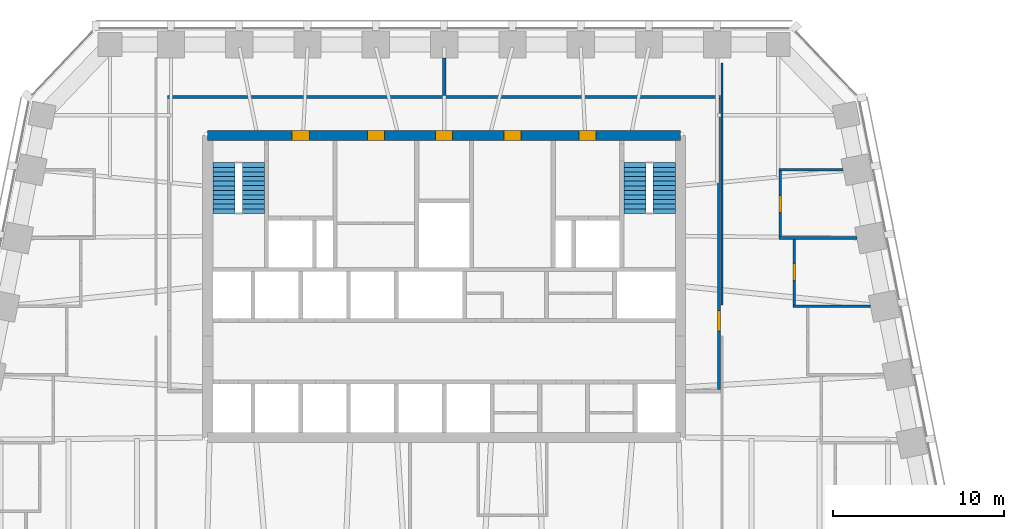
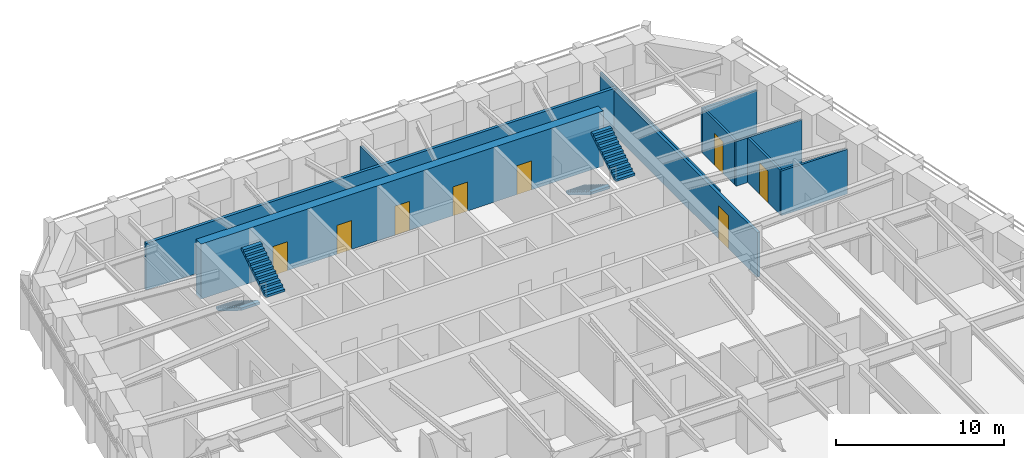
# One storey, part 8 of 10: 10 walls, 8 doors, 4 stair flights, 8 openings, 2 elements without a shape of their own.
"""IFC4 building model written with IfcOpenShell, lengths in metres."""

from ifc_helpers import new_model, si_unit, direction, frame, frame_2d, origin, place, context, subcontext, project, spatial, polyline, rectangle, outline, extrude, material, layer, layer_set, type_object, element, fill, aggregate, save


model = new_model("IFC4")

# Units and contexts
model_context = context("Model", 3, precision=1e-05, world=origin(), true_north=direction((0.0, 1.0)))
body_context = subcontext(model_context, "Body", "Model", "MODEL_VIEW")
ifc_project = project(units=[si_unit("LENGTHUNIT", "METRE"), si_unit("AREAUNIT", "SQUARE_METRE"), si_unit("VOLUMEUNIT", "CUBIC_METRE"), si_unit("PLANEANGLEUNIT", "RADIAN"), si_unit("MASSUNIT", "GRAM", prefix="KILO")], contexts=[model_context])

# Site, building, storey
site_placement = place(None, origin())
site = spatial("IfcSite", under=ifc_project, at=site_placement, CompositionType="ELEMENT")
building_placement = place(site_placement, origin())
building = spatial("IfcBuilding", under=site, at=building_placement, Name="Isbrekke Arena Tower", CompositionType="ELEMENT")
storey_placement = place(building_placement, frame((0.0, 0.0, 194.0)))
storey = spatial("IfcBuildingStorey", under=building, at=storey_placement, Name="L44", CompositionType="ELEMENT", Elevation=194.0)

# Wall, openings, doors
ifc_material_1 = material(Name="Concrete B55 (C55/67)", Category="concrete")
ifc_layer_1 = layer(ifc_material_1, 0.60009765625)
ifc_layer_set_1 = layer_set([ifc_layer_1], Name="CW4 CORE WALL 600")
wall_type_1 = type_object("IfcWallType", Name="CW4 CORE WALL 600", PredefinedType="SHEAR", material=ifc_layer_set_1)
wall_1_placement = place(storey_placement, frame((13.85009765625, 23.85009765625, 0.0), z_axis=(0.0, 0.0, 1.0), x_axis=(-1.0, 0.0, 0.0)))
wall_1 = element("IfcWall", 1, at=wall_1_placement, inside=storey, type_object=wall_type_1, Name="Core wall N L44", PredefinedType="SHEAR", context=body_context, shape_type="SweptSolid", body=[
    extrude(rectangle(XDim=27.7001953125, YDim=0.60009765625, at=frame_2d((13.85009765625, 0.0))), origin(), (0.0, 0.0, 1.0), 4.0),
])
opening_1_placement = place(wall_1_placement, frame((21.75, 0.0, 0.0)))
opening_1 = element("IfcOpeningElement", 2, at=opening_1_placement, cuts=wall_1, Name="Opening D3", PredefinedType="OPENING", context=body_context, shape_type="SweptSolid", body=[
    extrude(rectangle(XDim=1.0, YDim=2.10009765625, at=frame_2d((0.5, 1.050048828125))), frame((0.0, 0.31494140625, 0.0), z_axis=(0.0, -1.0, 0.0), x_axis=(1.0, 0.0, 0.0)), (0.0, 0.0, 1.0), 0.6298828125),
])
opening_2_placement = place(wall_1_placement, frame((4.949951171875, 0.0, 0.0)))
opening_2 = element("IfcOpeningElement", 3, at=opening_2_placement, cuts=wall_1, Name="Opening D3", PredefinedType="OPENING", context=body_context, shape_type="SweptSolid", body=[
    extrude(rectangle(XDim=1.0, YDim=2.10009765625, at=frame_2d((0.5, 1.050048828125))), frame((0.0, 0.31494140625, 0.0), z_axis=(0.0, -1.0, 0.0), x_axis=(1.0, 0.0, 0.0)), (0.0, 0.0, 1.0), 0.6298828125),
])
opening_3_placement = place(wall_1_placement, frame((17.35009765625, 0.0, 0.0)))
opening_3 = element("IfcOpeningElement", 4, at=opening_3_placement, cuts=wall_1, Name="Opening D4", PredefinedType="OPENING", context=body_context, shape_type="SweptSolid", body=[
    extrude(rectangle(XDim=1.0, YDim=2.10009765625, at=frame_2d((0.5, 1.050048828125))), frame((0.0, 0.31494140625, 0.0), z_axis=(0.0, -1.0, 0.0), x_axis=(1.0, 0.0, 0.0)), (0.0, 0.0, 1.0), 0.6298828125),
])
opening_4_placement = place(wall_1_placement, frame((13.35009765625, 0.0, 0.0)))
opening_4 = element("IfcOpeningElement", 5, at=opening_4_placement, cuts=wall_1, Name="Opening D4", PredefinedType="OPENING", context=body_context, shape_type="SweptSolid", body=[
    extrude(rectangle(XDim=1.0, YDim=2.10009765625, at=frame_2d((0.5, 1.050048828125))), frame((0.0, 0.31494140625, 0.0), z_axis=(0.0, -1.0, 0.0), x_axis=(1.0, 0.0, 0.0)), (0.0, 0.0, 1.0), 0.6298828125),
])
opening_5_placement = place(wall_1_placement, frame((9.35009765625, 0.0, 0.0)))
opening_5 = element("IfcOpeningElement", 6, at=opening_5_placement, cuts=wall_1, Name="Opening D4", PredefinedType="OPENING", context=body_context, shape_type="SweptSolid", body=[
    extrude(rectangle(XDim=1.0, YDim=2.10009765625, at=frame_2d((0.5, 1.050048828125))), frame((0.0, 0.31494140625, 0.0), z_axis=(0.0, -1.0, 0.0), x_axis=(1.0, 0.0, 0.0)), (0.0, 0.0, 1.0), 0.6298828125),
])
ifc_material_2 = material(Name="Steel fire door", Category="steel")
door_type_1 = type_object("IfcDoorType", Name="D3 FIRE LOBBY DOOR 1000 x 2100", OperationType="SINGLE_SWING_RIGHT", PredefinedType="DOOR", material=ifc_material_2)
door_1_placement = place(opening_1_placement, origin())
door_1 = element("IfcDoor", 7, at=door_1_placement, inside=storey, type_object=door_type_1, Name="D3 fire-fighting lobby door L44", OperationType="SINGLE_SWING_RIGHT", OverallHeight=2.10009765625, OverallWidth=1.0, PredefinedType="DOOR", context=body_context, shape_type="SweptSolid", body=[
    extrude(rectangle(XDim=1.0, YDim=2.10009765625, at=frame_2d((0.5, 1.050048828125))), frame((0.0, 0.2998046875, 0.0), z_axis=(0.0, -1.0, 0.0), x_axis=(1.0, 0.0, 0.0)), (0.0, 0.0, 1.0), 0.599609375),
])
fill(opening_1, door_1)
door_2_placement = place(opening_2_placement, origin())
door_2 = element("IfcDoor", 8, at=door_2_placement, inside=storey, type_object=door_type_1, Name="D3 fire-fighting lobby door L44", OperationType="SINGLE_SWING_RIGHT", OverallHeight=2.10009765625, OverallWidth=1.0, PredefinedType="DOOR", context=body_context, shape_type="SweptSolid", body=[
    extrude(rectangle(XDim=1.0, YDim=2.10009765625, at=frame_2d((0.5, 1.050048828125))), frame((0.0, 0.2998046875, 0.0), z_axis=(0.0, -1.0, 0.0), x_axis=(1.0, 0.0, 0.0)), (0.0, 0.0, 1.0), 0.599609375),
])
fill(opening_2, door_2)
ifc_material_3 = material(Name="Timber door", Category="wood")
door_type_2 = type_object("IfcDoorType", Name="D4 WC DOOR 1000 x 2100", OperationType="SINGLE_SWING_LEFT", PredefinedType="DOOR", material=ifc_material_3)
door_3_placement = place(opening_3_placement, origin())
door_3 = element("IfcDoor", 9, at=door_3_placement, inside=storey, type_object=door_type_2, Name="D4 wc female door L44", OperationType="SINGLE_SWING_LEFT", OverallHeight=2.10009765625, OverallWidth=1.0, PredefinedType="DOOR", context=body_context, shape_type="SweptSolid", body=[
    extrude(rectangle(XDim=1.0, YDim=2.10009765625, at=frame_2d((0.5, 1.050048828125))), frame((0.0, 0.2998046875, 0.0), z_axis=(0.0, -1.0, 0.0), x_axis=(1.0, 0.0, 0.0)), (0.0, 0.0, 1.0), 0.599609375),
])
fill(opening_3, door_3)
door_4_placement = place(opening_4_placement, origin())
door_4 = element("IfcDoor", 10, at=door_4_placement, inside=storey, type_object=door_type_2, Name="D4 accessible wc door L44", OperationType="SINGLE_SWING_LEFT", OverallHeight=2.10009765625, OverallWidth=1.0, PredefinedType="DOOR", context=body_context, shape_type="SweptSolid", body=[
    extrude(rectangle(XDim=1.0, YDim=2.10009765625, at=frame_2d((0.5, 1.050048828125))), frame((0.0, 0.2998046875, 0.0), z_axis=(0.0, -1.0, 0.0), x_axis=(1.0, 0.0, 0.0)), (0.0, 0.0, 1.0), 0.599609375),
])
fill(opening_4, door_4)
door_5_placement = place(opening_5_placement, origin())
door_5 = element("IfcDoor", 11, at=door_5_placement, inside=storey, type_object=door_type_2, Name="D4 wc male door L44", OperationType="SINGLE_SWING_LEFT", OverallHeight=2.10009765625, OverallWidth=1.0, PredefinedType="DOOR", context=body_context, shape_type="SweptSolid", body=[
    extrude(rectangle(XDim=1.0, YDim=2.10009765625, at=frame_2d((0.5, 1.050048828125))), frame((0.0, 0.2998046875, 0.0), z_axis=(0.0, -1.0, 0.0), x_axis=(1.0, 0.0, 0.0)), (0.0, 0.0, 1.0), 0.599609375),
])
fill(opening_5, door_5)

# Walls
ifc_material_4 = material(Name="Gypsum board partition on steel studs", Category="steel")
ifc_layer_2 = layer(ifc_material_4, 0.14990234375)
ifc_layer_set_2 = layer_set([ifc_layer_2], Name="IW1 PARTITION 150")
wall_type_2 = type_object("IfcWallType", Name="IW1 PARTITION 150", PredefinedType="PARTITIONING", material=ifc_layer_set_2)
for number, where, z_axis, x_axis, name in (
    (12, (20.425048828125, 13.840087890625, 0.0), (0.0, 0.0, 1.0), (1.0, 0.0, 0.0), "IW1 partition 150 L44"),
    (13, (19.625, 17.840087890625, 0.0), (0.0, 0.0, 1.0), (1.0, 0.0, 0.0), "IW1 partition 150 L44"),
):
    element("IfcWall", number, at=place(storey_placement, frame(where, z_axis=z_axis, x_axis=x_axis)), inside=storey, type_object=wall_type_2, Name=name, PredefinedType="PARTITIONING", context=body_context, shape_type="SweptSolid", body=[
        extrude(rectangle(XDim=4.5498046875, YDim=0.14990234375, at=frame_2d((2.27490234375, 0.0))), origin(), (0.0, 0.0, 1.0), 3.25),
    ])
wall_2_placement = place(storey_placement, frame((19.625, 21.840087890625, 0.0), z_axis=(0.0, 0.0, 1.0), x_axis=(1.0, 0.0, 0.0)))
element("IfcWall", 14, at=wall_2_placement, inside=storey, type_object=wall_type_2, Name="IW1 partition 150 L44", PredefinedType="PARTITIONING", context=body_context, shape_type="SweptSolid", body=[
    extrude(rectangle(XDim=3.749755859375, YDim=0.14990234375, at=frame_2d((1.875, 0.0))), origin(), (0.0, 0.0, 1.0), 3.25),
])

# Wall, opening, door
wall_3_placement = place(storey_placement, frame((19.699951171875, 17.9150390625, 0.0), z_axis=(0.0, 0.0, 1.0), x_axis=(0.0, 1.0, 0.0)))
wall_3 = element("IfcWall", 15, at=wall_3_placement, inside=storey, type_object=wall_type_2, Name="IW1 partition 150 L44", PredefinedType="PARTITIONING", context=body_context, shape_type="SweptSolid", body=[
    extrude(rectangle(XDim=3.849853515625, YDim=0.14990234375, at=frame_2d((1.9248046875, 0.0))), origin(), (0.0, 0.0, 1.0), 3.25),
])
opening_6_placement = place(wall_3_placement, frame((1.425048828125, 0.0, 0.0)))
opening_6 = element("IfcOpeningElement", 16, at=opening_6_placement, cuts=wall_3, Name="Opening D10", PredefinedType="OPENING", context=body_context, shape_type="SweptSolid", body=[
    extrude(rectangle(XDim=1.0, YDim=2.300048828125, at=frame_2d((0.5, 1.14990234375))), frame((0.0, 0.08984375, 0.0), z_axis=(0.0, -1.0, 0.0), x_axis=(1.0, 0.0, 0.0)), (0.0, 0.0, 1.0), 0.1796875),
])
ifc_material_5 = material(Name="Timber door", Category="wood")
door_type_3 = type_object("IfcDoorType", Name="D10 OFFICE DOOR 1000 x 2300", OperationType="SINGLE_SWING_LEFT", PredefinedType="DOOR", material=ifc_material_5)
door_6_placement = place(opening_6_placement, origin())
door_6 = element("IfcDoor", 17, at=door_6_placement, inside=storey, type_object=door_type_3, Name="D10 office door L44", OperationType="SINGLE_SWING_LEFT", OverallHeight=2.300048828125, OverallWidth=1.0, PredefinedType="DOOR", context=body_context, shape_type="SweptSolid", body=[
    extrude(rectangle(XDim=1.0, YDim=2.300048828125, at=frame_2d((0.5, 1.14990234375))), frame((0.0, 0.07470703125, 0.0), z_axis=(0.0, -1.0, 0.0), x_axis=(1.0, 0.0, 0.0)), (0.0, 0.0, 1.0), 0.1494140625),
])
fill(opening_6, door_6)

wall_4_placement = place(storey_placement, frame((20.5, 13.9150390625, 0.0), z_axis=(0.0, 0.0, 1.0), x_axis=(0.0, 1.0, 0.0)))
wall_4 = element("IfcWall", 18, at=wall_4_placement, inside=storey, type_object=wall_type_2, Name="IW1 partition 150 L44", PredefinedType="PARTITIONING", context=body_context, shape_type="SweptSolid", body=[
    extrude(rectangle(XDim=3.849853515625, YDim=0.14990234375, at=frame_2d((1.9248046875, 0.0))), origin(), (0.0, 0.0, 1.0), 3.25),
])
opening_7_placement = place(wall_4_placement, frame((1.425048828125, 0.0, 0.0)))
opening_7 = element("IfcOpeningElement", 19, at=opening_7_placement, cuts=wall_4, Name="Opening D10", PredefinedType="OPENING", context=body_context, shape_type="SweptSolid", body=[
    extrude(rectangle(XDim=1.0, YDim=2.300048828125, at=frame_2d((0.5, 1.14990234375))), frame((0.0, 0.08984375, 0.0), z_axis=(0.0, -1.0, 0.0), x_axis=(1.0, 0.0, 0.0)), (0.0, 0.0, 1.0), 0.1796875),
])
door_7_placement = place(opening_7_placement, origin())
door_7 = element("IfcDoor", 20, at=door_7_placement, inside=storey, type_object=door_type_3, Name="D10 office door L44", OperationType="SINGLE_SWING_LEFT", OverallHeight=2.300048828125, OverallWidth=1.0, PredefinedType="DOOR", context=body_context, shape_type="SweptSolid", body=[
    extrude(rectangle(XDim=1.0, YDim=2.300048828125, at=frame_2d((0.5, 1.14990234375))), frame((0.0, 0.07470703125, 0.0), z_axis=(0.0, -1.0, 0.0), x_axis=(1.0, 0.0, 0.0)), (0.0, 0.0, 1.0), 0.1494140625),
])
fill(opening_7, door_7)

# Walls
ifc_material_6 = material(Name="Frameless glazed partition, laminated acoustic glass", Category="glass")
ifc_layer_3 = layer(ifc_material_6, 0.1201171875)
ifc_layer_set_3 = layer_set([ifc_layer_3], Name="IW2 GLAZED PARTITION 120")
wall_type_3 = type_object("IfcWallType", Name="IW2 GLAZED PARTITION 120", PredefinedType="PARTITIONING", material=ifc_layer_set_3)
wall_5_placement = place(storey_placement, frame((16.281005859375, 13.89990234375, 0.0), z_axis=(0.0, 0.0, 1.0), x_axis=(0.0, 1.0, 0.0)))
element("IfcWall", 21, at=wall_5_placement, inside=storey, type_object=wall_type_3, Name="IW2 glazed partition 120 L44", PredefinedType="PARTITIONING", context=body_context, shape_type="SweptSolid", body=[
    extrude(rectangle(XDim=14.2001953125, YDim=0.1201171875, at=frame_2d((7.10009765625, 0.0))), origin(), (0.0, 0.0, 1.0), 3.25),
])
ifc_material_7 = material(Name="Gypsum board fire-cell wall on steel studs, two layers each side", Category="steel")
ifc_layer_4 = layer(ifc_material_7, 0.199951171875)
ifc_layer_set_4 = layer_set([ifc_layer_4], Name="IW3 FIRE-CELL WALL 200")
wall_type_4 = type_object("IfcWallType", Name="IW3 FIRE-CELL WALL 200", PredefinedType="PARTITIONING", material=ifc_layer_set_4)
wall_6_placement = place(storey_placement, frame((-16.199951171875, 26.10009765625, 0.0), z_axis=(0.0, 0.0, 1.0), x_axis=(1.0, 0.0, 0.0)))
element("IfcWall", 22, at=wall_6_placement, inside=storey, type_object=wall_type_4, Name="IW3 fire-cell wall 200 L44", PredefinedType="PARTITIONING", context=body_context, shape_type="SweptSolid", body=[
    extrude(rectangle(XDim=32.39990234375, YDim=0.199951171875, at=frame_2d((16.199951171875, 0.0))), origin(), (0.0, 0.0, 1.0), 3.39990234375),
])
wall_7_placement = place(storey_placement, frame((0.0, 26.199951171875, 0.0), z_axis=(0.0, 0.0, 1.0), x_axis=(0.0, 1.0, 0.0)))
element("IfcWall", 23, at=wall_7_placement, inside=storey, type_object=wall_type_4, Name="IW3 fire-cell wall 200 L44", PredefinedType="PARTITIONING", context=body_context, shape_type="SweptSolid", body=[
    extrude(rectangle(XDim=2.175048828125, YDim=0.199951171875, at=frame_2d((1.08740234375, 0.0))), origin(), (0.0, 0.0, 1.0), 3.39990234375),
])

# Wall, opening, door
wall_8_placement = place(storey_placement, frame((16.10009765625, 8.949951171875, 0.0), z_axis=(0.0, 0.0, 1.0), x_axis=(0.0, 1.0, 0.0)))
wall_8 = element("IfcWall", 24, at=wall_8_placement, inside=storey, type_object=wall_type_4, Name="IW3 fire-cell wall 200 L44", PredefinedType="PARTITIONING", context=body_context, shape_type="SweptSolid", body=[
    extrude(rectangle(XDim=17.050048828125, YDim=0.199951171875, at=frame_2d((8.52490234375, 0.0))), origin(), (0.0, 0.0, 1.0), 3.25),
])
opening_8_placement = place(wall_8_placement, frame((3.449951171875, 0.0, 0.0)))
opening_8 = element("IfcOpeningElement", 25, at=opening_8_placement, cuts=wall_8, Name="Opening D12", PredefinedType="OPENING", context=body_context, shape_type="SweptSolid", body=[
    extrude(rectangle(XDim=1.199951171875, YDim=2.39990234375, at=frame_2d((0.60009765625, 1.199951171875))), frame((0.0, 0.11474609375, 0.0), z_axis=(0.0, -1.0, 0.0), x_axis=(1.0, 0.0, 0.0)), (0.0, 0.0, 1.0), 0.229736328125),
])
ifc_material_8 = material(Name="Timber fire door with vision panel", Category="wood")
door_type_4 = type_object("IfcDoorType", Name="D12 SUITE ENTRANCE DOOR 1200 x 2400", OperationType="SINGLE_SWING_LEFT", PredefinedType="DOOR", material=ifc_material_8)
door_8_placement = place(opening_8_placement, origin())
door_8 = element("IfcDoor", 26, at=door_8_placement, inside=storey, type_object=door_type_4, Name="D12 suite entrance E door L44", OperationType="SINGLE_SWING_LEFT", OverallHeight=2.39990234375, OverallWidth=1.199951171875, PredefinedType="DOOR", context=body_context, shape_type="SweptSolid", body=[
    extrude(rectangle(XDim=1.199951171875, YDim=2.39990234375, at=frame_2d((0.60009765625, 1.199951171875))), frame((0.0, 0.099609375, 0.0), z_axis=(0.0, -1.0, 0.0), x_axis=(1.0, 0.0, 0.0)), (0.0, 0.0, 1.0), 0.199462890625),
])
fill(opening_8, door_8)

# Stair, stair flights
ifc_material_9 = material(Name="Concrete B45 (C45/55) precast", Category="concrete")
stair_type = type_object("IfcStairType", Name="ST40 STAIR 1300 WIDE, 24 RISERS 167", PredefinedType="HALF_TURN_STAIR", material=ifc_material_9)
stair_1_placement = place(storey_placement, origin())
stair_1 = element("IfcStair", 27, at=stair_1_placement, inside=storey, type_object=stair_type, Name="ST1 stair L44", PredefinedType="HALF_TURN_STAIR")
ifc_material_10 = material(Name="Concrete B45 (C45/55) precast", Category="concrete")
stair_flight_type = type_object("IfcStairFlightType", Name="SF 1300 FLIGHT", PredefinedType="STRAIGHT", material=ifc_material_10)
stair_flight_1_placement = place(storey_placement, frame((-12.89990234375, 22.25, 0.0), z_axis=(0.0, 0.0, 1.0), x_axis=(0.0, -1.0, 0.0)))
stair_flight_1 = element("IfcStairFlight", 28, at=stair_flight_1_placement, type_object=stair_flight_type, Name="ST1 flight 1", NumberOfRisers=12, NumberOfTreads=11, PredefinedType="STRAIGHT", RiserHeight=0.166666667, TreadLength=0.27, context=body_context, shape_type="SweptSolid", body=[
    extrude(outline(polyline([(0.0, 0.0), (0.0, 0.166748046875), (0.27001953125, 0.166748046875), (0.27001953125, 0.333251953125), (0.5400390625, 0.333251953125), (0.5400390625, 0.5), (0.81005859375, 0.5), (0.81005859375, 0.666748046875), (1.080078125, 0.666748046875), (1.080078125, 0.833251953125), (1.35009765625, 0.833251953125), (1.35009765625, 1.0), (1.6201171875, 1.0), (1.6201171875, 1.166748046875), (1.889892578125, 1.166748046875), (1.889892578125, 1.333251953125), (2.159912109375, 1.333251953125), (2.159912109375, 1.5), (2.429931640625, 1.5), (2.429931640625, 1.666748046875), (2.699951171875, 1.666748046875), (2.699951171875, 1.833251953125), (2.969970703125, 1.833251953125), (2.969970703125, 2.0), (2.969970703125, 1.6572265625), (0.285400390625, 0.0), (0.0, 0.0)])), frame((0.0, 0.64990234375, 0.0), z_axis=(0.0, -1.0, 0.0), x_axis=(1.0, 0.0, 0.0)), (0.0, 0.0, 1.0), 1.300048828125),
])
stair_flight_2_placement = place(storey_placement, frame((-11.175048828125, 19.280029296875, 2.0), z_axis=(0.0, 0.0, 1.0), x_axis=(0.0, 1.0, 0.0)))
stair_flight_2 = element("IfcStairFlight", 29, at=stair_flight_2_placement, type_object=stair_flight_type, Name="ST1 flight 2", NumberOfRisers=12, NumberOfTreads=11, PredefinedType="STRAIGHT", RiserHeight=0.166666667, TreadLength=0.27, context=body_context, shape_type="SweptSolid", body=[
    extrude(outline(polyline([(0.0, 0.0), (0.0, 0.166748046875), (0.27001953125, 0.166748046875), (0.27001953125, 0.333251953125), (0.5400390625, 0.333251953125), (0.5400390625, 0.5), (0.81005859375, 0.5), (0.81005859375, 0.666748046875), (1.080078125, 0.666748046875), (1.080078125, 0.833251953125), (1.35009765625, 0.833251953125), (1.35009765625, 1.0), (1.6201171875, 1.0), (1.6201171875, 1.166748046875), (1.889892578125, 1.166748046875), (1.889892578125, 1.333251953125), (2.159912109375, 1.333251953125), (2.159912109375, 1.5), (2.429931640625, 1.5), (2.429931640625, 1.666748046875), (2.699951171875, 1.666748046875), (2.699951171875, 1.833251953125), (2.969970703125, 1.833251953125), (2.969970703125, 2.0), (2.969970703125, 1.6572265625), (0.285400390625, 0.0), (0.0, 0.0)])), frame((0.0, 0.64990234375, 0.0), z_axis=(0.0, -1.0, 0.0), x_axis=(1.0, 0.0, 0.0)), (0.0, 0.0, 1.0), 1.300048828125),
])
aggregate(stair_1, [stair_flight_1, stair_flight_2])

stair_2_placement = place(storey_placement, origin())
stair_2 = element("IfcStair", 30, at=stair_2_placement, inside=storey, type_object=stair_type, Name="ST2 stair L44", PredefinedType="HALF_TURN_STAIR")
stair_flight_3_placement = place(storey_placement, frame((11.175048828125, 22.25, 0.0), z_axis=(0.0, 0.0, 1.0), x_axis=(0.0, -1.0, 0.0)))
stair_flight_3 = element("IfcStairFlight", 31, at=stair_flight_3_placement, type_object=stair_flight_type, Name="ST2 flight 1", NumberOfRisers=12, NumberOfTreads=11, PredefinedType="STRAIGHT", RiserHeight=0.166666667, TreadLength=0.27, context=body_context, shape_type="SweptSolid", body=[
    extrude(outline(polyline([(0.0, 0.0), (0.0, 0.166748046875), (0.27001953125, 0.166748046875), (0.27001953125, 0.333251953125), (0.5400390625, 0.333251953125), (0.5400390625, 0.5), (0.81005859375, 0.5), (0.81005859375, 0.666748046875), (1.080078125, 0.666748046875), (1.080078125, 0.833251953125), (1.35009765625, 0.833251953125), (1.35009765625, 1.0), (1.6201171875, 1.0), (1.6201171875, 1.166748046875), (1.889892578125, 1.166748046875), (1.889892578125, 1.333251953125), (2.159912109375, 1.333251953125), (2.159912109375, 1.5), (2.429931640625, 1.5), (2.429931640625, 1.666748046875), (2.699951171875, 1.666748046875), (2.699951171875, 1.833251953125), (2.969970703125, 1.833251953125), (2.969970703125, 2.0), (2.969970703125, 1.6572265625), (0.285400390625, 0.0), (0.0, 0.0)])), frame((0.0, 0.64990234375, 0.0), z_axis=(0.0, -1.0, 0.0), x_axis=(1.0, 0.0, 0.0)), (0.0, 0.0, 1.0), 1.300048828125),
])
stair_flight_4_placement = place(storey_placement, frame((12.89990234375, 19.280029296875, 2.0), z_axis=(0.0, 0.0, 1.0), x_axis=(0.0, 1.0, 0.0)))
stair_flight_4 = element("IfcStairFlight", 32, at=stair_flight_4_placement, type_object=stair_flight_type, Name="ST2 flight 2", NumberOfRisers=12, NumberOfTreads=11, PredefinedType="STRAIGHT", RiserHeight=0.166666667, TreadLength=0.27, context=body_context, shape_type="SweptSolid", body=[
    extrude(outline(polyline([(0.0, 0.0), (0.0, 0.166748046875), (0.27001953125, 0.166748046875), (0.27001953125, 0.333251953125), (0.5400390625, 0.333251953125), (0.5400390625, 0.5), (0.81005859375, 0.5), (0.81005859375, 0.666748046875), (1.080078125, 0.666748046875), (1.080078125, 0.833251953125), (1.35009765625, 0.833251953125), (1.35009765625, 1.0), (1.6201171875, 1.0), (1.6201171875, 1.166748046875), (1.889892578125, 1.166748046875), (1.889892578125, 1.333251953125), (2.159912109375, 1.333251953125), (2.159912109375, 1.5), (2.429931640625, 1.5), (2.429931640625, 1.666748046875), (2.699951171875, 1.666748046875), (2.699951171875, 1.833251953125), (2.969970703125, 1.833251953125), (2.969970703125, 2.0), (2.969970703125, 1.6572265625), (0.285400390625, 0.0), (0.0, 0.0)])), frame((0.0, 0.64990234375, 0.0), z_axis=(0.0, -1.0, 0.0), x_axis=(1.0, 0.0, 0.0)), (0.0, 0.0, 1.0), 1.300048828125),
])
aggregate(stair_2, [stair_flight_3, stair_flight_4])

save(model, "model.ifc")
